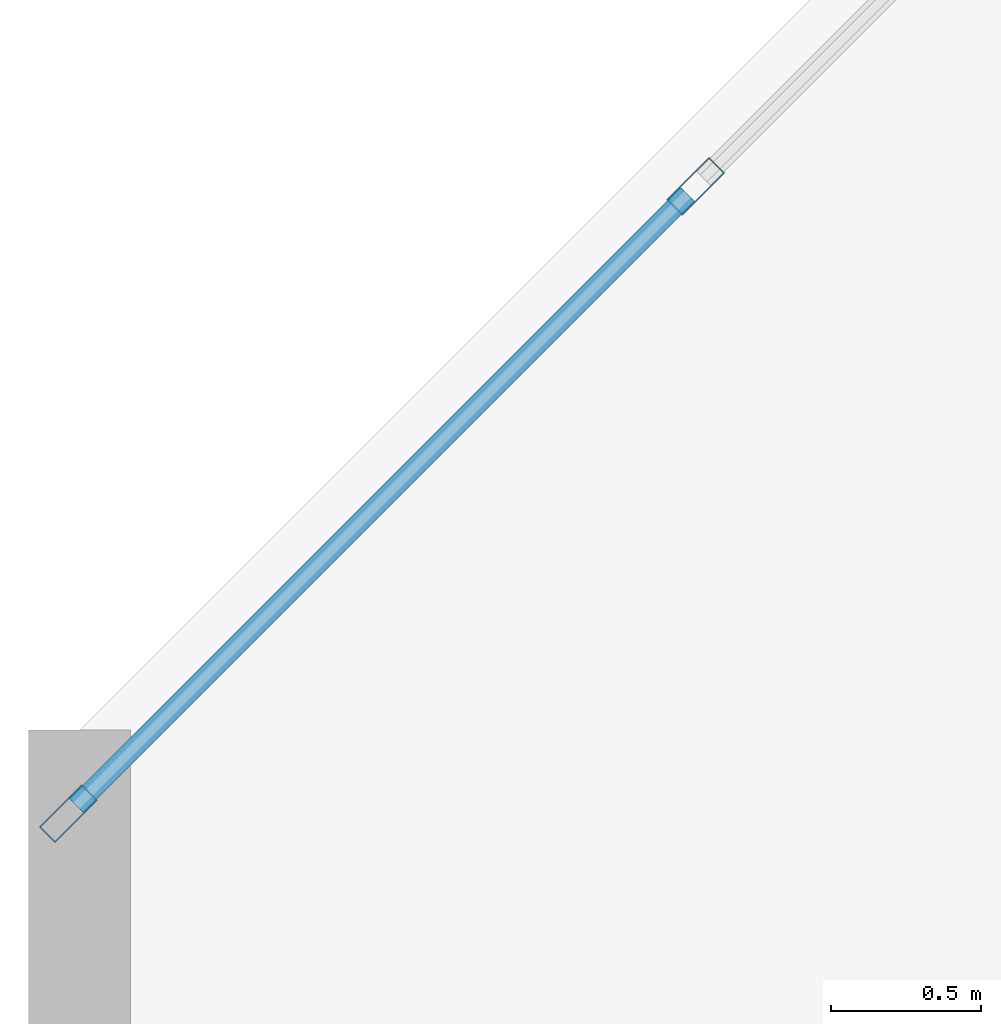
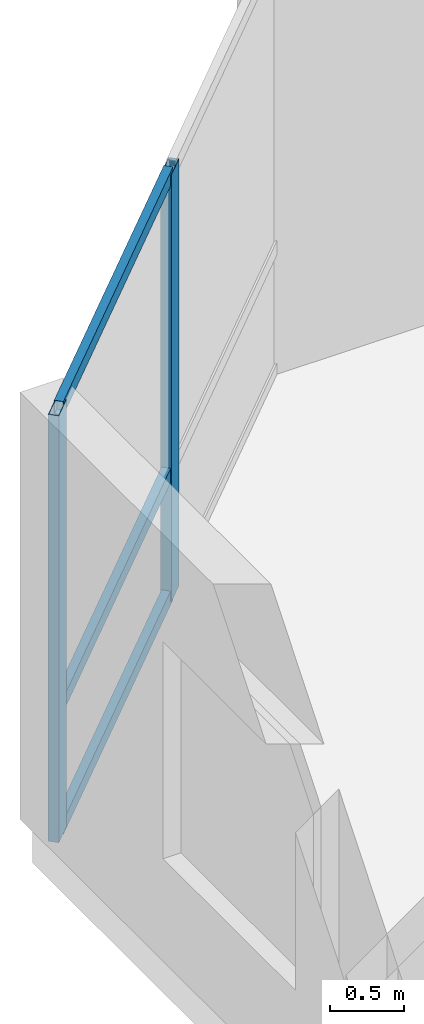
# One storey, part 3 of 12: 5 members, 1 element without a shape of its own.
"""IFC4 building model written with IfcOpenShell, lengths in metres."""

from ifc_helpers import new_model, si_unit, direction, frame, origin, origin_2d, place, context, subcontext, project, spatial, hollow_rectangle, extrude, material, layer, layer_set, material_profile, profile_set, type_object, element, aggregate, save


model = new_model("IFC4")

# Units and contexts
model_context = context("Model", 3, precision=1e-05, world=origin(), true_north=direction((0.0, 1.0)))
body_context = subcontext(model_context, "Body", "Model", "MODEL_VIEW")
ifc_project = project(units=[si_unit("LENGTHUNIT", "METRE"), si_unit("AREAUNIT", "SQUARE_METRE"), si_unit("VOLUMEUNIT", "CUBIC_METRE"), si_unit("PLANEANGLEUNIT", "RADIAN"), si_unit("MASSUNIT", "GRAM", prefix="KILO")], contexts=[model_context])

# Site, building, storey
site_placement = place(None, origin())
site = spatial("IfcSite", under=ifc_project, at=site_placement, CompositionType="ELEMENT")
building_placement = place(site_placement, origin())
building = spatial("IfcBuilding", under=site, at=building_placement, Name="Kestravale Grand Hotel", CompositionType="ELEMENT")
storey_placement = place(building_placement, frame((0.0, 0.0, 91.800048828125)))
storey = spatial("IfcBuildingStorey", under=building, at=storey_placement, Name="L22", CompositionType="ELEMENT", Elevation=91.800048828125)

# Curtain wall, members
ifc_material_1 = material(Name="Thermally broken champagne-bronze aluminium and low-E glazing", Category="aluminium")
ifc_layer = layer(ifc_material_1, 0.199951171875)
ifc_layer_set = layer_set([ifc_layer], Name="CW-Z2")
curtain_wall_type = type_object("IfcCurtainWallType", Name="CW-Z2", PredefinedType="NOTDEFINED", material=ifc_layer_set)
curtain_wall_placement = place(storey_placement, origin())
curtain_wall = element("IfcCurtainWall", 1, at=curtain_wall_placement, inside=storey, type_object=curtain_wall_type, Name="L22 unitised curtain wall 18", PredefinedType="NOTDEFINED")
ifc_material_2 = material(Name="Aluminium 6063-T6 anodised", Category="aluminium")
ifc_material_profile_1 = material_profile(ifc_material_2, hollow_rectangle(XDim=0.074951171875, YDim=0.199951171875, WallThickness=0.00390625, at=origin_2d()))
ifc_profile_set_1 = profile_set([ifc_material_profile_1], Name="Aluminium 6063-T6 anodised")
member_type_1 = type_object("IfcMemberType", Name="CW-MUL-200", PredefinedType="MULLION", material=ifc_profile_set_1)
member_1_placement = place(storey_placement, frame((6.22021484375, 42.3798828125, 0.0), z_axis=(0.0, 0.0, 1.0), x_axis=(0.707106781187, -0.707106781187, 0.0)))
member_1 = element("IfcMember", 2, at=member_1_placement, type_object=member_type_1, Name="CW-Z2 mullion 2", PredefinedType="MULLION", context=body_context, shape_type="SweptSolid", body=[
    extrude(hollow_rectangle(XDim=0.074951171875, YDim=0.199951171875, WallThickness=0.00390625, at=origin_2d()), origin(), (0.0, 0.0, 1.0), 3.5400390625),
])
member_2_placement = place(storey_placement, frame((4.132568359375, 40.292236328125, 0.0), z_axis=(0.0, 0.0, 1.0), x_axis=(0.707106781187, -0.707106781187, 0.0)))
member_2 = element("IfcMember", 3, at=member_2_placement, type_object=member_type_1, Name="CW-Z2 mullion 3", PredefinedType="MULLION", context=body_context, shape_type="SweptSolid", body=[
    extrude(hollow_rectangle(XDim=0.074951171875, YDim=0.199951171875, WallThickness=0.00390625, at=origin_2d()), origin(), (0.0, 0.0, 1.0), 3.5400390625),
])
ifc_material_3 = material(Name="Aluminium 6063-T6 anodised", Category="aluminium")
ifc_material_profile_2 = material_profile(ifc_material_3, hollow_rectangle(XDim=0.06494140625, YDim=0.114990234375, WallThickness=0.003173828125, at=origin_2d()))
ifc_profile_set_2 = profile_set([ifc_material_profile_2], Name="Aluminium 6063-T6 anodised")
member_type_2 = type_object("IfcMemberType", Name="CW-TRN-115", PredefinedType="USERDEFINED", material=ifc_profile_set_2)
member_3_placement = place(storey_placement, frame((6.193603515625, 42.353271484375, 0.032470703125), z_axis=(-0.707106781187, -0.707106781187, 0.0), x_axis=(0.707106781187, -0.707106781187, 0.0)))
member_3 = element("IfcMember", 4, at=member_3_placement, type_object=member_type_2, Name="CW-Z2 transom 2.1", ObjectType="TRANSOM", PredefinedType="USERDEFINED", context=body_context, shape_type="SweptSolid", body=[
    extrude(hollow_rectangle(XDim=0.06494140625, YDim=0.114990234375, WallThickness=0.003173828125, at=origin_2d()), origin(), (0.0, 0.0, 1.0), 2.87744140625),
])
member_4_placement = place(storey_placement, frame((6.193603515625, 42.353271484375, 1.050048828125), z_axis=(-0.707106781187, -0.707106781187, 0.0), x_axis=(0.707106781187, -0.707106781187, 0.0)))
member_4 = element("IfcMember", 5, at=member_4_placement, type_object=member_type_2, Name="CW-Z2 transom 2.2", ObjectType="TRANSOM", PredefinedType="USERDEFINED", context=body_context, shape_type="SweptSolid", body=[
    extrude(hollow_rectangle(XDim=0.06494140625, YDim=0.114990234375, WallThickness=0.003173828125, at=origin_2d()), origin(), (0.0, 0.0, 1.0), 2.87744140625),
])
member_5_placement = place(storey_placement, frame((6.193603515625, 42.353271484375, 3.507568359375), z_axis=(-0.707106781187, -0.707106781187, 0.0), x_axis=(0.707106781187, -0.707106781187, 0.0)))
member_5 = element("IfcMember", 6, at=member_5_placement, type_object=member_type_2, Name="CW-Z2 transom 2.3", ObjectType="TRANSOM", PredefinedType="USERDEFINED", context=body_context, shape_type="SweptSolid", body=[
    extrude(hollow_rectangle(XDim=0.06494140625, YDim=0.114990234375, WallThickness=0.003173828125, at=origin_2d()), origin(), (0.0, 0.0, 1.0), 2.87744140625),
])
aggregate(curtain_wall, [member_1, member_2, member_3, member_4, member_5])

save(model, "model.ifc")
